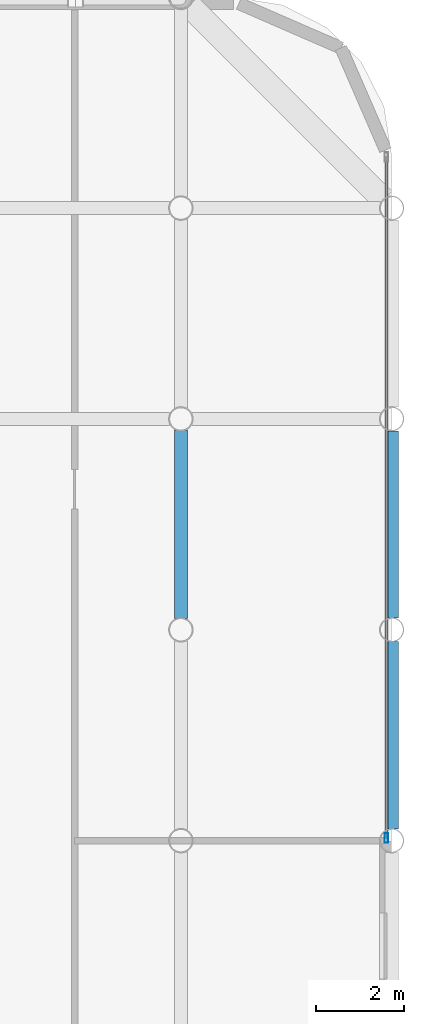
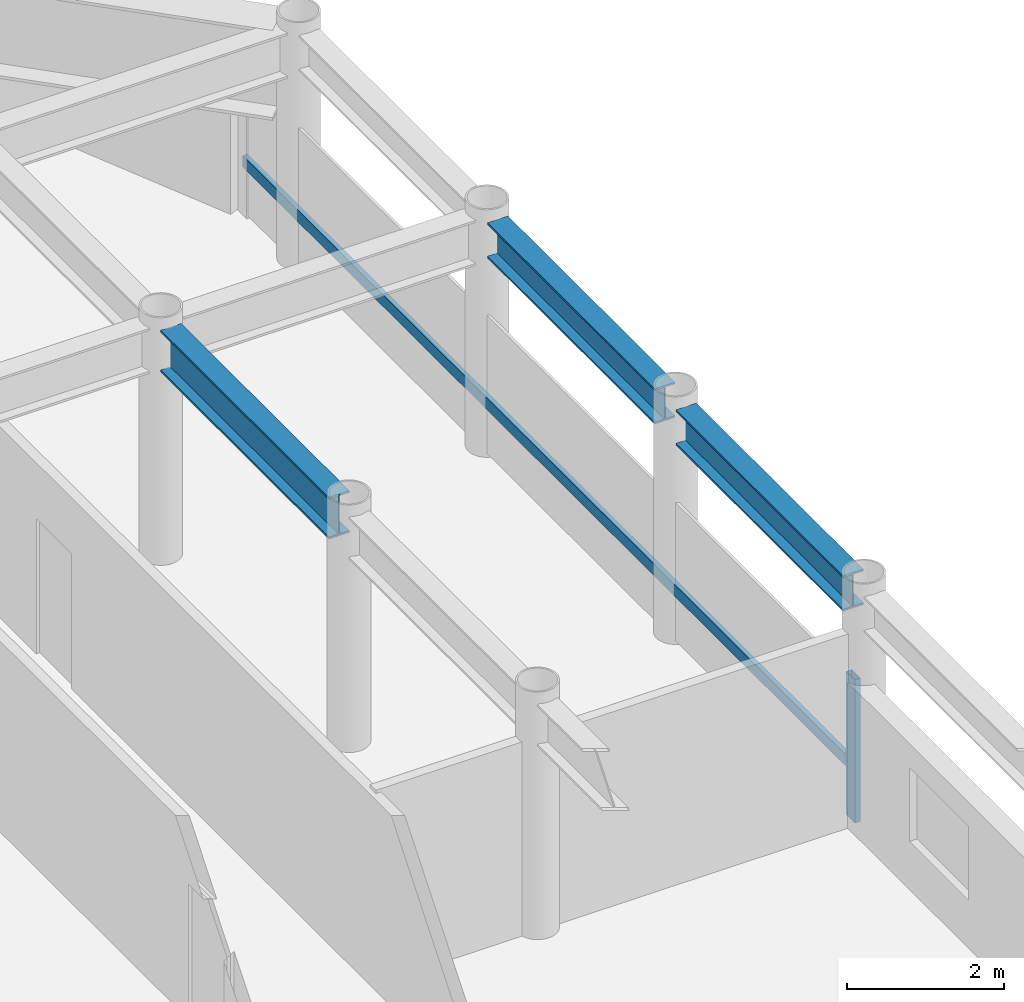
# One storey, part 10 of 21: 3 beams, 2 members, 1 element without a shape of its own.
"""IFC4 building model written with IfcOpenShell, lengths in metres."""

from ifc_helpers import new_model, si_unit, direction, frame, origin, origin_2d, place, context, subcontext, project, spatial, hollow_rectangle, i_section, extrude, material, layer, layer_set, material_profile, profile_set, type_object, element, aggregate, save


model = new_model("IFC4")

# Units and contexts
model_context = context("Model", 3, precision=1e-05, world=origin(), true_north=direction((0.0, 1.0)))
body_context = subcontext(model_context, "Body", "Model", "MODEL_VIEW")
ifc_project = project(units=[si_unit("LENGTHUNIT", "METRE"), si_unit("AREAUNIT", "SQUARE_METRE"), si_unit("VOLUMEUNIT", "CUBIC_METRE"), si_unit("PLANEANGLEUNIT", "RADIAN"), si_unit("MASSUNIT", "GRAM", prefix="KILO")], contexts=[model_context])

# Site, building, storey
site_placement = place(None, origin())
site = spatial("IfcSite", under=ifc_project, at=site_placement, CompositionType="ELEMENT")
building_placement = place(site_placement, origin())
building = spatial("IfcBuilding", under=site, at=building_placement, Name="Kallvorn Hotel Tower", CompositionType="ELEMENT")
storey_placement = place(building_placement, frame((0.0, 0.0, 214.60009765625)))
storey = spatial("IfcBuildingStorey", under=building, at=storey_placement, Name="L53", CompositionType="ELEMENT", Elevation=214.60009765625)

# Beams
ifc_material_1 = material(Name="Structural steel S355JR", Category="steel")
ifc_material_profile_1 = material_profile(ifc_material_1, i_section(OverallWidth=0.300048828125, OverallDepth=0.550048828125, WebThickness=0.014892578125, FlangeThickness=0.029052734375, at=origin_2d()), Name="HE 550 B")
ifc_profile_set_1 = profile_set([ifc_material_profile_1], Name="Structural steel S355JR")
beam_type_1 = type_object("IfcBeamType", Name="BM_HE550B", PredefinedType="SPANDREL", material=ifc_profile_set_1)
for number, where, z_axis, x_axis, name in (
    (1, (33.60009765625, 0.26953125, 3.39501953125), (0.0, 1.0, 0.0), (-1.0, 0.0, 0.0), "L54 Perimeter Spandrel 186"),
    (2, (33.60009765625, 5.069580078125, 3.39501953125), (0.0, 1.0, 0.0), (-1.0, 0.0, 0.0), "L54 Perimeter Spandrel 187"),
):
    element("IfcBeam", number, at=place(storey_placement, frame(where, z_axis=z_axis, x_axis=x_axis)), inside=storey, type_object=beam_type_1, Name=name, PredefinedType="SPANDREL", context=body_context, shape_type="SweptSolid", body=[
        extrude(i_section(OverallWidth=0.300048828125, OverallDepth=0.550048828125, WebThickness=0.014892578125, FlangeThickness=0.029052734375, at=origin_2d()), origin(), (0.0, 0.0, 1.0), 4.260986328125),
    ])
ifc_material_2 = material(Name="Structural steel S355JR", Category="steel")
ifc_material_profile_2 = material_profile(ifc_material_2, i_section(OverallWidth=0.300048828125, OverallDepth=0.64990234375, WebThickness=0.01611328125, FlangeThickness=0.031005859375, at=origin_2d()), Name="HE 650 B")
ifc_profile_set_2 = profile_set([ifc_material_profile_2], Name="Structural steel S355JR")
beam_type_2 = type_object("IfcBeamType", Name="BM_HE650B", PredefinedType="BEAM", material=ifc_profile_set_2)
beam_placement = place(storey_placement, frame((28.800048828125, 5.054443359375, 3.344970703125), z_axis=(0.0, 1.0, 0.0), x_axis=(-1.0, 0.0, 0.0)))
element("IfcBeam", 3, at=beam_placement, inside=storey, type_object=beam_type_2, Name="L54 Primary Y-Girder 148", PredefinedType="BEAM", context=body_context, shape_type="SweptSolid", body=[
    extrude(i_section(OverallWidth=0.300048828125, OverallDepth=0.64990234375, WebThickness=0.01611328125, FlangeThickness=0.031005859375, at=origin_2d()), origin(), (0.0, 0.0, 1.0), 4.291015625),
])

# Curtain wall, members
ifc_material_3 = material(Name="Thermally broken black-anodised aluminium AA 6063-T6", Category="aluminium")
ifc_layer = layer(ifc_material_3, 0.22998046875)
ifc_layer_set = layer_set([ifc_layer], Name="CW_SYS_5_HOTEL_HIGH")
curtain_wall_type = type_object("IfcCurtainWallType", Name="CW_SYS_5_HOTEL_HIGH", PredefinedType="USERDEFINED", material=ifc_layer_set)
curtain_wall_placement = place(storey_placement, origin())
curtain_wall = element("IfcCurtainWall", 4, at=curtain_wall_placement, inside=storey, type_object=curtain_wall_type, Name="L53 Dark-Glass Curtain Wall CW-L53-EN", ObjectType="UNITISED CURTAIN WALL", PredefinedType="USERDEFINED")
ifc_material_4 = material(Name="Thermally broken black-anodised aluminium AA 6063-T6", Category="aluminium")
ifc_material_profile_3 = material_profile(ifc_material_4, hollow_rectangle(XDim=0.080078125, YDim=0.219970703125, WallThickness=0.0048828125, at=origin_2d()), Name="MUL 220x80")
ifc_profile_set_3 = profile_set([ifc_material_profile_3], Name="Thermally broken black-anodised aluminium AA 6063-T6")
member_type_1 = type_object("IfcMemberType", Name="CW_MULLION_220x80", PredefinedType="MULLION", material=ifc_profile_set_3)
member_1_placement = place(storey_placement, frame((33.47998046875, 0.06005859375, 0.02001953125), z_axis=(0.0, 0.0, 1.0), x_axis=(1.0, 0.0, 0.0)))
member_1 = element("IfcMember", 5, at=member_1_placement, type_object=member_type_1, Name="CW-L53-EN Mullion 00", PredefinedType="MULLION", context=body_context, shape_type="SweptSolid", body=[
    extrude(hollow_rectangle(XDim=0.080078125, YDim=0.219970703125, WallThickness=0.0048828125, at=origin_2d()), origin(), (0.0, 0.0, 1.0), 2.22998046875),
])
ifc_material_5 = material(Name="Thermally broken black-anodised aluminium AA 6063-T6", Category="aluminium")
ifc_material_profile_4 = material_profile(ifc_material_5, hollow_rectangle(XDim=0.070068359375, YDim=0.179931640625, WallThickness=0.00390625, at=origin_2d()), Name="TRN 180x70")
ifc_profile_set_4 = profile_set([ifc_material_profile_4], Name="Thermally broken black-anodised aluminium AA 6063-T6")
member_type_2 = type_object("IfcMemberType", Name="CW_TRANSOM_180x70", PredefinedType="USERDEFINED", material=ifc_profile_set_4)
member_2_placement = place(storey_placement, frame((33.47998046875, 0.06005859375, 0.849853515625), z_axis=(0.0, 1.0, 0.0), x_axis=(-1.0, 0.0, 0.0)))
member_2 = element("IfcMember", 6, at=member_2_placement, type_object=member_type_2, Name="CW-L53-EN Transom 00M", ObjectType="TRANSOM", PredefinedType="USERDEFINED", context=body_context, shape_type="SweptSolid", body=[
    extrude(hollow_rectangle(XDim=0.070068359375, YDim=0.179931640625, WallThickness=0.00390625, at=origin_2d()), origin(), (0.0, 0.0, 1.0), 15.5),
])
aggregate(curtain_wall, [member_1, member_2])

save(model, "model.ifc")
